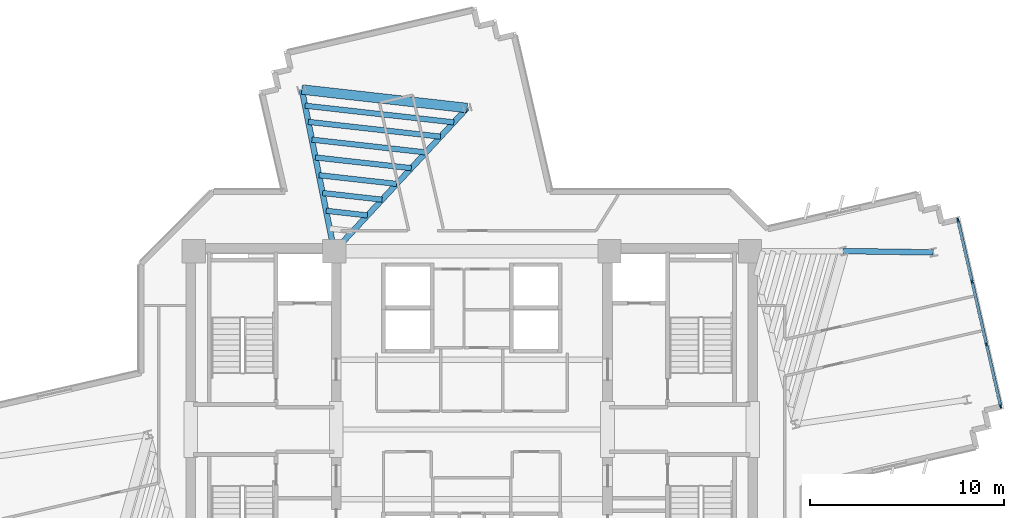
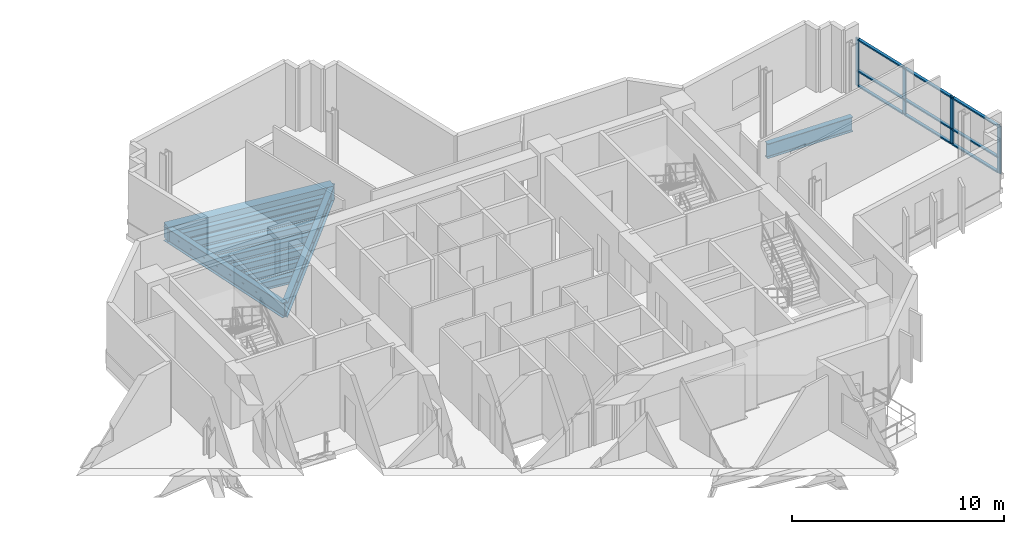
# One storey, part 4 of 13: 13 members, 11 beams, 1 element without a shape of its own.
"""IFC4 building model written with IfcOpenShell, lengths in metres."""

from ifc_helpers import new_model, si_unit, direction, frame, origin, origin_2d, place, context, subcontext, project, spatial, rectangle, i_section, extrude, source, transform, mapped, material, layer, layer_set, material_profile, profile_set, type_object, element, aggregate, save


model = new_model("IFC4")

# Units and contexts
model_context = context("Model", 3, precision=1e-05, world=origin(), true_north=direction((0.0, 1.0)))
body_context = subcontext(model_context, "Body", "Model", "MODEL_VIEW")
ifc_project = project(units=[si_unit("LENGTHUNIT", "METRE"), si_unit("AREAUNIT", "SQUARE_METRE"), si_unit("VOLUMEUNIT", "CUBIC_METRE"), si_unit("PLANEANGLEUNIT", "RADIAN"), si_unit("MASSUNIT", "GRAM", prefix="KILO")], contexts=[model_context])

# Site, building, storey
site_placement = place(None, origin())
site = spatial("IfcSite", under=ifc_project, at=site_placement, CompositionType="ELEMENT")
building_placement = place(site_placement, origin())
building = spatial("IfcBuilding", under=site, at=building_placement, Name="Zahravan Cultural Tower", CompositionType="ELEMENT")
storey_placement = place(building_placement, frame((0.0, 0.0, 174.60009765625)))
storey = spatial("IfcBuildingStorey", under=building, at=storey_placement, Name="L40", CompositionType="ELEMENT", Elevation=174.60009765625)

# Beams
ifc_material_1 = material(Name="Concrete C50/60", Category="concrete")
ifc_material_profile_1 = material_profile(ifc_material_1, rectangle(XDim=0.5, YDim=0.85009765625, at=origin_2d()), Name="RC500X850")
ifc_profile_set_1 = profile_set([ifc_material_profile_1], Name="Concrete C50/60")
beam_type_1 = type_object("IfcBeamType", Name="BM-SP-RC500X850", PredefinedType="SPANDREL", material=ifc_profile_set_1)
shared_shape_1 = source(origin(), body_context, "Body", "SweptSolid", [
    extrude(rectangle(XDim=0.5, YDim=0.85009765625, at=origin_2d()), origin(), (0.0, 0.0, 1.0), 8.579833984375),
])
beam_1_placement = place(storey_placement, frame((35.754638671875, 43.587646484375, -0.705078125), z_axis=(-0.9938040105, 0.11114669907, 0.0), x_axis=(-0.11114669907, -0.9938040105, 0.0)))
element("IfcBeam", 1, at=beam_1_placement, inside=storey, type_object=beam_type_1, Name="L40 Beam SP-L40-22", PredefinedType="SPANDREL", context=body_context, shape_type="MappedRepresentation", body=[
    mapped(shared_shape_1, transform((0.0, 0.0, 0.0), x_axis=(1.0, 0.0, 0.0), y_axis=(0.0, 1.0, 0.0), z_axis=(0.0, 0.0, 1.0), scale=1.0)),
])
ifc_material_2 = material(Name="Steel ASTM A992 Grade 50", Category="steel")
ifc_material_profile_2 = material_profile(ifc_material_2, i_section(OverallWidth=0.29296875, OverallDepth=0.845947265625, WebThickness=0.015380859375, FlangeThickness=0.0244140625, FilletRadius=0.02001953125, at=origin_2d()), Name="W33X141")
ifc_profile_set_2 = profile_set([ifc_material_profile_2], Name="Steel ASTM A992 Grade 50")
beam_type_2 = type_object("IfcBeamType", Name="BM-G-W33X141", PredefinedType="BEAM", material=ifc_profile_set_2)
shared_shape_2 = source(origin(), body_context, "Body", "SweptSolid", [
    extrude(i_section(OverallWidth=0.29296875, OverallDepth=0.845947265625, WebThickness=0.015380859375, FlangeThickness=0.0244140625, FilletRadius=0.02001953125, at=origin_2d()), origin(), (0.0, 0.0, 1.0), 10.077880859375),
])
beam_2_placement = place(storey_placement, frame((28.89990234375, 36.199951171875, -0.703125), z_axis=(0.680170435587, 0.733054007938, 0.0), x_axis=(-0.733054007938, 0.680170435587, 0.0)))
element("IfcBeam", 2, at=beam_2_placement, inside=storey, type_object=beam_type_2, Name="L40 Beam BG-L40-13", PredefinedType="BEAM", context=body_context, shape_type="MappedRepresentation", body=[
    mapped(shared_shape_2, transform((0.0, 0.0, 0.0), x_axis=(1.0, 0.0, 0.0), y_axis=(0.0, 1.0, 0.0), z_axis=(0.0, 0.0, 1.0), scale=1.0)),
])
shared_shape_3 = source(origin(), body_context, "Body", "SweptSolid", [
    extrude(i_section(OverallWidth=0.29296875, OverallDepth=0.845947265625, WebThickness=0.015380859375, FlangeThickness=0.0244140625, FilletRadius=0.02001953125, at=origin_2d()), origin(), (0.0, 0.0, 1.0), 8.50732421875),
])
beam_3_placement = place(storey_placement, frame((28.89990234375, 36.199951171875, -0.703125), z_axis=(-0.196524514012, 0.980498911469, 0.0), x_axis=(-0.980498911469, -0.196524514012, 0.0)))
element("IfcBeam", 3, at=beam_3_placement, inside=storey, type_object=beam_type_2, Name="L40 Beam BG-L40-14", PredefinedType="BEAM", context=body_context, shape_type="MappedRepresentation", body=[
    mapped(shared_shape_3, transform((0.0, 0.0, 0.0), x_axis=(1.0, 0.0, 0.0), y_axis=(0.0, 1.0, 0.0), z_axis=(0.0, 0.0, 1.0), scale=1.0)),
])
shared_shape_4 = source(origin(), body_context, "Body", "SweptSolid", [
    extrude(i_section(OverallWidth=0.29296875, OverallDepth=0.845947265625, WebThickness=0.015380859375, FlangeThickness=0.0244140625, FilletRadius=0.02001953125, at=origin_2d()), origin(), (0.0, 0.0, 1.0), 4.622314453125),
])
beam_4_placement = place(storey_placement, frame((55.184814453125, 36.2060546875, -0.703125), z_axis=(0.999889070044, -0.014894549562, 0.0), x_axis=(0.014894549562, 0.999889070044, 0.0)))
element("IfcBeam", 4, at=beam_4_placement, inside=storey, type_object=beam_type_2, Name="L40 Beam BG-L40-16", PredefinedType="BEAM", context=body_context, shape_type="MappedRepresentation", body=[
    mapped(shared_shape_4, transform((0.0, 0.0, 0.0), x_axis=(1.0, 0.0, 0.0), y_axis=(0.0, 1.0, 0.0), z_axis=(0.0, 0.0, 1.0), scale=1.0)),
])
ifc_material_profile_3 = material_profile(ifc_material_2, i_section(OverallWidth=0.280029296875, OverallDepth=0.462890625, WebThickness=0.0107421875, FlangeThickness=0.017333984375, FilletRadius=0.012939453125, at=origin_2d()), Name="W18X76")
ifc_profile_set_3 = profile_set([ifc_material_profile_3], Name="Steel ASTM A992 Grade 50")
beam_type_3 = type_object("IfcBeamType", Name="BM-J-W18X76", PredefinedType="JOIST", material=ifc_profile_set_3)
shared_shape_5 = source(origin(), body_context, "Body", "SweptSolid", [
    extrude(i_section(OverallWidth=0.280029296875, OverallDepth=0.462890625, WebThickness=0.0107421875, FlangeThickness=0.017333984375, FilletRadius=0.012939453125, at=origin_2d()), origin(), (0.0, 0.0, 1.0), 2.144775390625),
])
beam_5_placement = place(storey_placement, frame((30.613525390625, 38.046875, -0.51171875), z_axis=(-0.993797370806, 0.111206051, 0.0), x_axis=(-0.111206051, -0.993797370806, 0.0)))
element("IfcBeam", 5, at=beam_5_placement, inside=storey, type_object=beam_type_3, Name="L40 Beam BJ-L40-51", PredefinedType="JOIST", context=body_context, shape_type="MappedRepresentation", body=[
    mapped(shared_shape_5, transform((0.0, 0.0, 0.0), x_axis=(1.0, 0.0, 0.0), y_axis=(0.0, 1.0, 0.0), z_axis=(0.0, 0.0, 1.0), scale=1.0)),
])
shared_shape_6 = source(origin(), body_context, "Body", "SweptSolid", [
    extrude(i_section(OverallWidth=0.280029296875, OverallDepth=0.462890625, WebThickness=0.0107421875, FlangeThickness=0.017333984375, FilletRadius=0.012939453125, at=origin_2d()), origin(), (0.0, 0.0, 1.0), 3.088623046875),
])
beam_6_placement = place(storey_placement, frame((31.36767578125, 38.859619140625, -0.51171875), z_axis=(-0.993805407368, 0.111134208443, 0.0), x_axis=(-0.111134208443, -0.993805407368, 0.0)))
element("IfcBeam", 6, at=beam_6_placement, inside=storey, type_object=beam_type_3, Name="L40 Beam BJ-L40-52", PredefinedType="JOIST", context=body_context, shape_type="MappedRepresentation", body=[
    mapped(shared_shape_6, transform((0.0, 0.0, 0.0), x_axis=(1.0, 0.0, 0.0), y_axis=(0.0, 1.0, 0.0), z_axis=(0.0, 0.0, 1.0), scale=1.0)),
])
shared_shape_7 = source(origin(), body_context, "Body", "SweptSolid", [
    extrude(i_section(OverallWidth=0.280029296875, OverallDepth=0.462890625, WebThickness=0.0107421875, FlangeThickness=0.017333984375, FilletRadius=0.012939453125, at=origin_2d()), origin(), (0.0, 0.0, 1.0), 4.0322265625),
])
beam_7_placement = place(storey_placement, frame((32.12158203125, 39.672119140625, -0.51171875), z_axis=(-0.993802245601, 0.11116247855, 0.0), x_axis=(-0.11116247855, -0.993802245601, 0.0)))
element("IfcBeam", 7, at=beam_7_placement, inside=storey, type_object=beam_type_3, Name="L40 Beam BJ-L40-53", PredefinedType="JOIST", context=body_context, shape_type="MappedRepresentation", body=[
    mapped(shared_shape_7, transform((0.0, 0.0, 0.0), x_axis=(1.0, 0.0, 0.0), y_axis=(0.0, 1.0, 0.0), z_axis=(0.0, 0.0, 1.0), scale=1.0)),
])
shared_shape_8 = source(origin(), body_context, "Body", "SweptSolid", [
    extrude(i_section(OverallWidth=0.280029296875, OverallDepth=0.462890625, WebThickness=0.0107421875, FlangeThickness=0.017333984375, FilletRadius=0.012939453125, at=origin_2d()), origin(), (0.0, 0.0, 1.0), 4.97607421875),
])
beam_8_placement = place(storey_placement, frame((32.875732421875, 40.48486328125, -0.51171875), z_axis=(-0.993806308517, 0.111126149723, 0.0), x_axis=(-0.111126149723, -0.993806308517, 0.0)))
element("IfcBeam", 8, at=beam_8_placement, inside=storey, type_object=beam_type_3, Name="L40 Beam BJ-L40-54", PredefinedType="JOIST", context=body_context, shape_type="MappedRepresentation", body=[
    mapped(shared_shape_8, transform((0.0, 0.0, 0.0), x_axis=(1.0, 0.0, 0.0), y_axis=(0.0, 1.0, 0.0), z_axis=(0.0, 0.0, 1.0), scale=1.0)),
])
shared_shape_9 = source(origin(), body_context, "Body", "SweptSolid", [
    extrude(i_section(OverallWidth=0.280029296875, OverallDepth=0.462890625, WebThickness=0.0107421875, FlangeThickness=0.017333984375, FilletRadius=0.012939453125, at=origin_2d()), origin(), (0.0, 0.0, 1.0), 5.919921875),
])
beam_9_placement = place(storey_placement, frame((33.629638671875, 41.29736328125, -0.51171875), z_axis=(-0.993804520866, 0.111142135602, 0.0), x_axis=(-0.111142135602, -0.993804520866, 0.0)))
element("IfcBeam", 9, at=beam_9_placement, inside=storey, type_object=beam_type_3, Name="L40 Beam BJ-L40-55", PredefinedType="JOIST", context=body_context, shape_type="MappedRepresentation", body=[
    mapped(shared_shape_9, transform((0.0, 0.0, 0.0), x_axis=(1.0, 0.0, 0.0), y_axis=(0.0, 1.0, 0.0), z_axis=(0.0, 0.0, 1.0), scale=1.0)),
])
shared_shape_10 = source(origin(), body_context, "Body", "SweptSolid", [
    extrude(i_section(OverallWidth=0.280029296875, OverallDepth=0.462890625, WebThickness=0.0107421875, FlangeThickness=0.017333984375, FilletRadius=0.012939453125, at=origin_2d()), origin(), (0.0, 0.0, 1.0), 6.86376953125),
])
beam_10_placement = place(storey_placement, frame((34.3837890625, 42.110107421875, -0.51171875), z_axis=(-0.993803224695, 0.111153725024, 0.0), x_axis=(-0.111153725024, -0.993803224695, 0.0)))
element("IfcBeam", 10, at=beam_10_placement, inside=storey, type_object=beam_type_3, Name="L40 Beam BJ-L40-56", PredefinedType="JOIST", context=body_context, shape_type="MappedRepresentation", body=[
    mapped(shared_shape_10, transform((0.0, 0.0, 0.0), x_axis=(1.0, 0.0, 0.0), y_axis=(0.0, 1.0, 0.0), z_axis=(0.0, 0.0, 1.0), scale=1.0)),
])
shared_shape_11 = source(origin(), body_context, "Body", "SweptSolid", [
    extrude(i_section(OverallWidth=0.280029296875, OverallDepth=0.462890625, WebThickness=0.0107421875, FlangeThickness=0.017333984375, FilletRadius=0.012939453125, at=origin_2d()), origin(), (0.0, 0.0, 1.0), 7.7216796875),
])
beam_11_placement = place(storey_placement, frame((35.069091796875, 42.848876953125, -0.51171875), z_axis=(-0.993805212115, 0.11113595446, 0.0), x_axis=(-0.11113595446, -0.993805212115, 0.0)))
element("IfcBeam", 11, at=beam_11_placement, inside=storey, type_object=beam_type_3, Name="L40 Beam BJ-L40-57", PredefinedType="JOIST", context=body_context, shape_type="MappedRepresentation", body=[
    mapped(shared_shape_11, transform((0.0, 0.0, 0.0), x_axis=(1.0, 0.0, 0.0), y_axis=(0.0, 1.0, 0.0), z_axis=(0.0, 0.0, 1.0), scale=1.0)),
])

# Curtain wall, members
ifc_material_3 = material(Name="Anodised bronze-aluminium mullion", Category="aluminium")
ifc_layer = layer(ifc_material_3, 0.219970703125)
ifc_layer_set = layer_set([ifc_layer], Name="Anodised bronze-aluminium mullion")
curtain_wall_type = type_object("IfcCurtainWallType", Name="CW-SYS-1", PredefinedType="USERDEFINED", material=ifc_layer_set)
curtain_wall_placement = place(storey_placement, origin())
curtain_wall = element("IfcCurtainWall", 12, at=curtain_wall_placement, inside=storey, type_object=curtain_wall_type, Name="L40 Recessed Curtain Wall CW-1.1", ObjectType="RECESSED GLAZING", PredefinedType="USERDEFINED")
ifc_material_profile_4 = material_profile(ifc_material_3, rectangle(XDim=0.159912109375, YDim=0.080078125, at=origin_2d()), Name="AL-T80X160")
ifc_profile_set_4 = profile_set([ifc_material_profile_4], Name="Anodised bronze-aluminium mullion")
member_type_1 = type_object("IfcMemberType", Name="CWT-CW-1", PredefinedType="USERDEFINED", material=ifc_profile_set_4)
shared_shape_12 = source(origin(), body_context, "Body", "SweptSolid", [
    extrude(rectangle(XDim=0.159912109375, YDim=0.080078125, at=origin_2d()), origin(), (0.0, 0.0, 1.0), 3.226806640625),
])
member_1_placement = place(storey_placement, frame((61.819091796875, 34.578125, 0.039794921875), z_axis=(0.223654705473, -0.974668442456, 0.0), x_axis=(0.974668442456, 0.223654705473, 0.0)))
member_1 = element("IfcMember", 13, at=member_1_placement, type_object=member_type_1, Name="CW-1 transom 2.1", ObjectType="TRANSOM", PredefinedType="USERDEFINED", context=body_context, shape_type="MappedRepresentation", body=[
    mapped(shared_shape_12, transform((0.0, 0.0, 0.0), x_axis=(1.0, 0.0, 0.0), y_axis=(0.0, 1.0, 0.0), z_axis=(0.0, 0.0, 1.0), scale=1.0)),
])
member_2_placement = place(storey_placement, frame((61.819091796875, 34.578125, 0.89990234375), z_axis=(0.223654705473, -0.974668442456, 0.0), x_axis=(0.974668442456, 0.223654705473, 0.0)))
member_2 = element("IfcMember", 14, at=member_2_placement, type_object=member_type_1, Name="CW-1 transom 2.2", ObjectType="TRANSOM", PredefinedType="USERDEFINED", context=body_context, shape_type="MappedRepresentation", body=[
    mapped(shared_shape_12, transform((0.0, 0.0, 0.0), x_axis=(1.0, 0.0, 0.0), y_axis=(0.0, 1.0, 0.0), z_axis=(0.0, 0.0, 1.0), scale=1.0)),
])
member_3_placement = place(storey_placement, frame((61.819091796875, 34.578125, 2.699951171875), z_axis=(0.223654705473, -0.974668442456, 0.0), x_axis=(0.974668442456, 0.223654705473, 0.0)))
member_3 = element("IfcMember", 15, at=member_3_placement, type_object=member_type_1, Name="CW-1 transom 2.3", ObjectType="TRANSOM", PredefinedType="USERDEFINED", context=body_context, shape_type="MappedRepresentation", body=[
    mapped(shared_shape_12, transform((0.0, 0.0, 0.0), x_axis=(1.0, 0.0, 0.0), y_axis=(0.0, 1.0, 0.0), z_axis=(0.0, 0.0, 1.0), scale=1.0)),
])
shared_shape_13 = source(origin(), body_context, "Body", "SweptSolid", [
    extrude(rectangle(XDim=0.159912109375, YDim=0.080078125, at=origin_2d()), origin(), (0.0, 0.0, 1.0), 3.1865234375),
])
member_4_placement = place(storey_placement, frame((61.0888671875, 37.761962890625, 0.039794921875), z_axis=(0.22356116452, -0.974689902337, 0.0), x_axis=(0.974689902337, 0.22356116452, 0.0)))
member_4 = element("IfcMember", 16, at=member_4_placement, type_object=member_type_1, Name="CW-1 transom 1.1", ObjectType="TRANSOM", PredefinedType="USERDEFINED", context=body_context, shape_type="MappedRepresentation", body=[
    mapped(shared_shape_13, transform((0.0, 0.0, 0.0), x_axis=(1.0, 0.0, 0.0), y_axis=(0.0, 1.0, 0.0), z_axis=(0.0, 0.0, 1.0), scale=1.0)),
])
member_5_placement = place(storey_placement, frame((61.0888671875, 37.761962890625, 0.89990234375), z_axis=(0.22356116452, -0.974689902337, 0.0), x_axis=(0.974689902337, 0.22356116452, 0.0)))
member_5 = element("IfcMember", 17, at=member_5_placement, type_object=member_type_1, Name="CW-1 transom 1.2", ObjectType="TRANSOM", PredefinedType="USERDEFINED", context=body_context, shape_type="MappedRepresentation", body=[
    mapped(shared_shape_13, transform((0.0, 0.0, 0.0), x_axis=(1.0, 0.0, 0.0), y_axis=(0.0, 1.0, 0.0), z_axis=(0.0, 0.0, 1.0), scale=1.0)),
])
member_6_placement = place(storey_placement, frame((61.0888671875, 37.761962890625, 2.699951171875), z_axis=(0.22356116452, -0.974689902337, 0.0), x_axis=(0.974689902337, 0.22356116452, 0.0)))
member_6 = element("IfcMember", 18, at=member_6_placement, type_object=member_type_1, Name="CW-1 transom 1.3", ObjectType="TRANSOM", PredefinedType="USERDEFINED", context=body_context, shape_type="MappedRepresentation", body=[
    mapped(shared_shape_13, transform((0.0, 0.0, 0.0), x_axis=(1.0, 0.0, 0.0), y_axis=(0.0, 1.0, 0.0), z_axis=(0.0, 0.0, 1.0), scale=1.0)),
])
member_7_placement = place(storey_placement, frame((62.55859375, 31.355224609375, 0.039794921875), z_axis=(0.22356116452, -0.974689902337, 0.0), x_axis=(0.974689902337, 0.22356116452, 0.0)))
member_7 = element("IfcMember", 19, at=member_7_placement, type_object=member_type_1, Name="CW-1 transom 3.1", ObjectType="TRANSOM", PredefinedType="USERDEFINED", context=body_context, shape_type="MappedRepresentation", body=[
    mapped(shared_shape_13, transform((0.0, 0.0, 0.0), x_axis=(1.0, 0.0, 0.0), y_axis=(0.0, 1.0, 0.0), z_axis=(0.0, 0.0, 1.0), scale=1.0)),
])
member_8_placement = place(storey_placement, frame((62.55859375, 31.355224609375, 0.89990234375), z_axis=(0.22356116452, -0.974689902337, 0.0), x_axis=(0.974689902337, 0.22356116452, 0.0)))
member_8 = element("IfcMember", 20, at=member_8_placement, type_object=member_type_1, Name="CW-1 transom 3.2", ObjectType="TRANSOM", PredefinedType="USERDEFINED", context=body_context, shape_type="MappedRepresentation", body=[
    mapped(shared_shape_13, transform((0.0, 0.0, 0.0), x_axis=(1.0, 0.0, 0.0), y_axis=(0.0, 1.0, 0.0), z_axis=(0.0, 0.0, 1.0), scale=1.0)),
])
member_9_placement = place(storey_placement, frame((62.55859375, 31.355224609375, 2.699951171875), z_axis=(0.22356116452, -0.974689902337, 0.0), x_axis=(0.974689902337, 0.22356116452, 0.0)))
member_9 = element("IfcMember", 21, at=member_9_placement, type_object=member_type_1, Name="CW-1 transom 3.3", ObjectType="TRANSOM", PredefinedType="USERDEFINED", context=body_context, shape_type="MappedRepresentation", body=[
    mapped(shared_shape_13, transform((0.0, 0.0, 0.0), x_axis=(1.0, 0.0, 0.0), y_axis=(0.0, 1.0, 0.0), z_axis=(0.0, 0.0, 1.0), scale=1.0)),
])
ifc_material_profile_5 = material_profile(ifc_material_3, rectangle(XDim=0.080078125, YDim=0.219970703125, at=origin_2d()), Name="AL-M80X220")
ifc_profile_set_5 = profile_set([ifc_material_profile_5], Name="Anodised bronze-aluminium mullion")
member_type_2 = type_object("IfcMemberType", Name="CWM-CW-1", PredefinedType="MULLION", material=ifc_profile_set_5)
shared_shape_14 = source(origin(), body_context, "Body", "SweptSolid", [
    extrude(rectangle(XDim=0.080078125, YDim=0.219970703125, at=origin_2d()), origin(), (0.0, 0.0, 1.0), 2.739990234375),
])
member_10_placement = place(storey_placement, frame((61.079833984375, 37.801025390625, 0.0), z_axis=(0.0, 0.0, 1.0), x_axis=(0.974681078884, 0.223599629842, 0.0)))
member_10 = element("IfcMember", 22, at=member_10_placement, type_object=member_type_2, Name="CW-1 mullion 1", PredefinedType="MULLION", context=body_context, shape_type="MappedRepresentation", body=[
    mapped(shared_shape_14, transform((0.0, 0.0, 0.0), x_axis=(1.0, 0.0, 0.0), y_axis=(0.0, 1.0, 0.0), z_axis=(0.0, 0.0, 1.0), scale=1.0)),
])
member_11_placement = place(storey_placement, frame((61.810302734375, 34.6171875, 0.0), z_axis=(0.0, 0.0, 1.0), x_axis=(0.974681078884, 0.223599629842, 0.0)))
member_11 = element("IfcMember", 23, at=member_11_placement, type_object=member_type_2, Name="CW-1 mullion 2", PredefinedType="MULLION", context=body_context, shape_type="MappedRepresentation", body=[
    mapped(shared_shape_14, transform((0.0, 0.0, 0.0), x_axis=(1.0, 0.0, 0.0), y_axis=(0.0, 1.0, 0.0), z_axis=(0.0, 0.0, 1.0), scale=1.0)),
])
member_12_placement = place(storey_placement, frame((62.549560546875, 31.39404296875, 0.0), z_axis=(0.0, 0.0, 1.0), x_axis=(0.974681078884, 0.223599629842, 0.0)))
member_12 = element("IfcMember", 24, at=member_12_placement, type_object=member_type_2, Name="CW-1 mullion 3", PredefinedType="MULLION", context=body_context, shape_type="MappedRepresentation", body=[
    mapped(shared_shape_14, transform((0.0, 0.0, 0.0), x_axis=(1.0, 0.0, 0.0), y_axis=(0.0, 1.0, 0.0), z_axis=(0.0, 0.0, 1.0), scale=1.0)),
])
member_13_placement = place(storey_placement, frame((63.280029296875, 28.210205078125, 0.0), z_axis=(0.0, 0.0, 1.0), x_axis=(0.974681078884, 0.223599629842, 0.0)))
member_13 = element("IfcMember", 25, at=member_13_placement, type_object=member_type_2, Name="CW-1 mullion 4", PredefinedType="MULLION", context=body_context, shape_type="MappedRepresentation", body=[
    mapped(shared_shape_14, transform((0.0, 0.0, 0.0), x_axis=(1.0, 0.0, 0.0), y_axis=(0.0, 1.0, 0.0), z_axis=(0.0, 0.0, 1.0), scale=1.0)),
])
aggregate(curtain_wall, [member_10, member_11, member_12, member_13, member_4, member_5, member_6, member_1, member_2, member_3, member_7, member_8, member_9])

save(model, "model.ifc")
